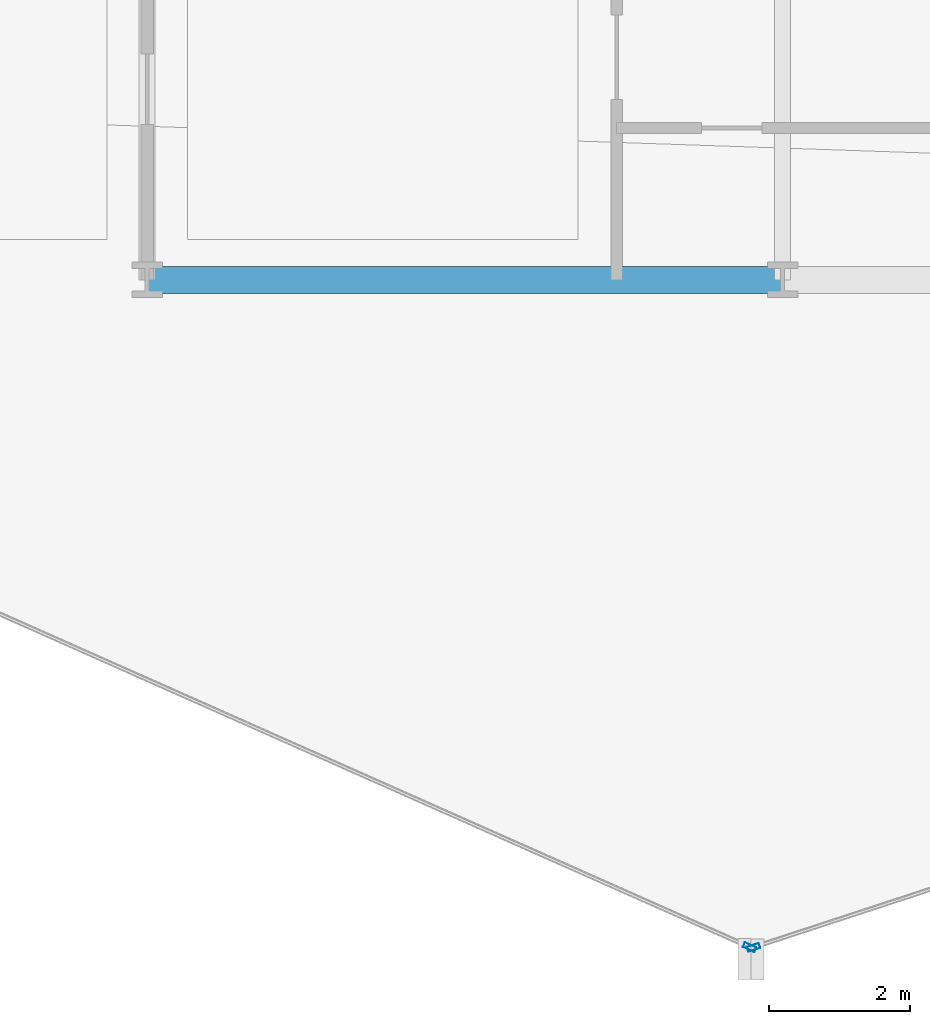
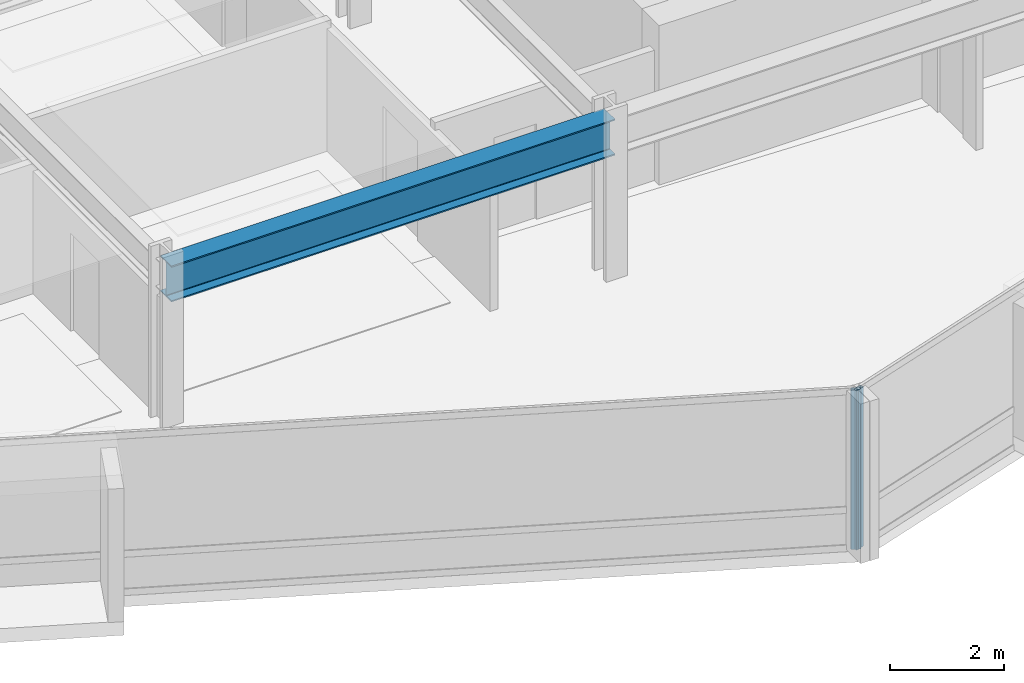
# One storey, part 4 of 34: 2 members, 1 beam, 2 elements without a shape of their own.
"""IFC4 building model written with IfcOpenShell, lengths in metres."""

import ifcopenshell
import ifcopenshell.guid

model = None  # the IFC model being written
_history = None  # IfcOwnerHistory: only IFC2X3 demands one
_inside = {}  # id of a spatial element -> (the spatial element, [elements in it])
_under = {}  # id of a project, library or spatial element -> (it, [spatial elements below it])
_declared = {}  # id of a project -> (the project, [libraries it declares])
_typed = {}  # id of a type object -> (the type object, [elements of that type])
_made_of = {}  # id of a material, layer set ... -> (it, [elements and type objects made of it])


def new_model(schema):
    """Start an empty IFC model of exactly this schema.

    Asked for "IFC4X3", IfcOpenShell would pick the latest addendum, in which some entities
    have other attributes; the version numbers below select the first issue.
    IFC2X3 requires an IfcOwnerHistory on every rooted entity: one is made here for all.
    """
    global model, _history
    if schema == "IFC4X3":
        model = ifcopenshell.file(schema_version=(4, 3, 0, 0))
    else:
        model = ifcopenshell.file(schema=schema)
    _inside.clear()
    _under.clear()
    _declared.clear()
    _typed.clear()
    _made_of.clear()
    _history = None
    if model.schema == "IFC2X3":
        org = make("IfcOrganization", Name="unknown")
        user = make(
            "IfcPersonAndOrganization",
            ThePerson=make("IfcPerson", FamilyName="unknown"),
            TheOrganization=org,
        )
        app = make(
            "IfcApplication",
            ApplicationDeveloper=org,
            Version="unknown",
            ApplicationFullName="unknown",
            ApplicationIdentifier="unknown",
        )
        _history = make(
            "IfcOwnerHistory",
            OwningUser=user,
            OwningApplication=app,
            ChangeAction="ADDED",
            CreationDate=0,
        )
    return model


def make(cls, **values):
    """One entity of the class cls with the attributes given. An attribute that is None is left unset."""
    return model.create_entity(
        cls, **{name: value for name, value in values.items() if value is not None}
    )


def rooted(cls, **values):
    """An entity with a GlobalId (a new one), such as an element, a storey or a relation."""
    return make(cls, GlobalId=ifcopenshell.guid.new(), OwnerHistory=_history, **values)


def si_unit(unit_type, name, prefix=None):
    """IfcSIUnit, for example si_unit("LENGTHUNIT", "METRE", prefix="MILLI")."""
    return make("IfcSIUnit", UnitType=unit_type, Prefix=prefix, Name=name)


def assignment(units):
    """IfcUnitAssignment: the units of a project."""
    return None if units is None else make("IfcUnitAssignment", Units=units)


def point(xyz):
    """IfcCartesianPoint."""
    return None if xyz is None else make("IfcCartesianPoint", Coordinates=xyz)


def direction(xyz):
    """IfcDirection."""
    return None if xyz is None else make("IfcDirection", DirectionRatios=xyz)


def frame(location, z_axis=None, x_axis=None):
    """IfcAxis2Placement3D, a coordinate frame: its origin and axes. An axis left out is left unset."""
    return make(
        "IfcAxis2Placement3D",
        Location=point(location),
        Axis=direction(z_axis),
        RefDirection=direction(x_axis),
    )


def frame_2d(location, x_axis=None):
    """IfcAxis2Placement2D, a coordinate frame in the plane: its origin and x axis."""
    return make(
        "IfcAxis2Placement2D", Location=point(location), RefDirection=direction(x_axis)
    )


def origin():
    """The frame at (0, 0, 0) with its axes left unset."""
    return frame((0.0, 0.0, 0.0))


def origin_2d():
    """The frame at (0, 0) in the plane with its x axis left unset."""
    return frame_2d((0.0, 0.0))


def place(relative_to, where):
    """IfcLocalPlacement: puts the frame where relative to a parent placement (None: the world)."""
    return make(
        "IfcLocalPlacement", PlacementRelTo=relative_to, RelativePlacement=where
    )


def context(
    kind, dimensions, precision=None, world=None, true_north=None, identifier=None
):
    """IfcGeometricRepresentationContext, for example the 3D "Model" context."""
    return make(
        "IfcGeometricRepresentationContext",
        ContextIdentifier=identifier,
        ContextType=kind,
        CoordinateSpaceDimension=dimensions,
        Precision=precision,
        WorldCoordinateSystem=world,
        TrueNorth=true_north,
    )


def subcontext(parent, identifier, kind, view, scale=None):
    """IfcGeometricRepresentationSubContext, for example "Body" below "Model"."""
    return make(
        "IfcGeometricRepresentationSubContext",
        ContextIdentifier=identifier,
        ContextType=kind,
        ParentContext=parent,
        TargetScale=scale,
        TargetView=view,
    )


def project(units=None, contexts=None):
    """IfcProject with its units and contexts."""
    return rooted(
        "IfcProject",
        Name="project",
        RepresentationContexts=contexts,
        UnitsInContext=assignment(units),
    )


def spatial(cls, under=None, at=None, **own):
    """A site, building, storey or space (cls), placed at a placement, below another one or the project."""
    s = rooted(cls, ObjectPlacement=at, **own)
    if under is not None:
        _under.setdefault(under.id(), (under, []))[1].append(s)
    return s


def profile(cls, at=None, kind="AREA", **sizes):
    """A parametric profile (cls). Its sizes go by their IFC names, for example OverallWidth=200.0."""
    return make(cls, ProfileType=kind, Position=at, **sizes)


def hollow_rectangle(**sizes):
    """IfcRectangleHollowProfileDef."""
    return profile("IfcRectangleHollowProfileDef", **sizes)


def i_section(**sizes):
    """IfcIShapeProfileDef."""
    return profile("IfcIShapeProfileDef", **sizes)


def extrude(swept, where, along, depth):
    """IfcExtrudedAreaSolid: the profile swept, set in the frame where, extruded along a direction by depth."""
    return make(
        "IfcExtrudedAreaSolid",
        SweptArea=swept,
        Position=where,
        ExtrudedDirection=direction(along),
        Depth=depth,
    )


def shape(context_of_items, identifier, shape_type, items):
    """IfcShapeRepresentation: the items that make up one representation, for example the "Body"."""
    return make(
        "IfcShapeRepresentation",
        ContextOfItems=context_of_items,
        RepresentationIdentifier=identifier,
        RepresentationType=shape_type,
        Items=items,
    )


def material(Name=None, Category=None):
    """IfcMaterial."""
    return make("IfcMaterial", Name=Name, Category=Category)


def layer(
    of_material, thickness, ventilated=None, Name=None, Category=None, Priority=None
):
    """IfcMaterialLayer: one layer of a wall or slab, of a material (None: an air gap)."""
    return make(
        "IfcMaterialLayer",
        Material=of_material,
        LayerThickness=thickness,
        IsVentilated=ventilated,
        Name=Name,
        Category=Category,
        Priority=Priority,
    )


def layer_set(layers, Name=None):
    """IfcMaterialLayerSet."""
    return make("IfcMaterialLayerSet", MaterialLayers=layers, LayerSetName=Name)


def material_profile(
    of_material, cross_section, Name=None, Category=None, Priority=None
):
    """IfcMaterialProfile: a cross section and its material."""
    return make(
        "IfcMaterialProfile",
        Name=Name,
        Material=of_material,
        Profile=cross_section,
        Priority=Priority,
        Category=Category,
    )


def profile_set(profiles, Name=None, composite=None):
    """IfcMaterialProfileSet."""
    return make(
        "IfcMaterialProfileSet",
        Name=Name,
        MaterialProfiles=profiles,
        CompositeProfile=composite,
    )


def made_of(thing, what):
    """Note that an element or type object is made of a material, layer set ...; save() writes the relation."""
    if what is not None:
        _made_of.setdefault(what.id(), (what, []))[1].append(thing)
    return thing


def type_object(cls, material=None, **own):
    """A type object (cls), such as IfcWallType, which elements share."""
    return made_of(rooted(cls, **own), material)


def element(
    cls,
    number,
    at=None,
    inside=None,
    cuts=None,
    type_object=None,
    material=None,
    context=None,
    identifier="Body",
    shape_type=None,
    held_by="IfcProductDefinitionShape",
    body=None,
    shapes=None,
    **own,
):
    """One element of the class cls, such as IfcWall. Its Tag is "e" and its number.

    at: its placement. inside: the storey or other place that contains it. cuts: it is an
    opening in that element (IfcRelVoidsElement). A single representation is given by context,
    identifier, shape_type and body (its items); several are given by shapes. held_by: the class
    of the entity that holds the representations. save() writes the other relations.
    """
    e = rooted(cls, Tag="e%d" % number, ObjectPlacement=at, **own)
    if body is not None:
        shapes = [shape(context, identifier, shape_type, body)]
    if shapes is not None:
        e.Representation = make(held_by, Representations=shapes)
    if inside is not None:
        _inside.setdefault(inside.id(), (inside, []))[1].append(e)
    if cuts is not None:
        rooted(
            "IfcRelVoidsElement", RelatingBuildingElement=cuts, RelatedOpeningElement=e
        )
    if type_object is not None:
        _typed.setdefault(type_object.id(), (type_object, []))[1].append(e)
    return made_of(e, material)


def aggregate(whole, parts):
    """IfcRelAggregates: a whole, such as a stair, and the parts it consists of."""
    return rooted("IfcRelAggregates", RelatingObject=whole, RelatedObjects=parts)


def save(model, path):
    """Write the relations noted so far, then the file.

    IfcRelAggregates (storeys below a building ...), IfcRelContainedInSpatialStructure (elements
    in a storey), IfcRelDefinesByType, IfcRelAssociatesMaterial and IfcRelDeclares: one each for
    every whole, place, type object, material and project.
    """
    for whole, parts in _under.values():
        aggregate(whole, parts)
    for where, things in _inside.values():
        rooted(
            "IfcRelContainedInSpatialStructure",
            RelatedElements=things,
            RelatingStructure=where,
        )
    for kind, things in _typed.values():
        rooted("IfcRelDefinesByType", RelatedObjects=things, RelatingType=kind)
    for what, things in _made_of.values():
        rooted("IfcRelAssociatesMaterial", RelatedObjects=things, RelatingMaterial=what)
    for by, libraries in _declared.values():
        rooted("IfcRelDeclares", RelatingContext=by, RelatedDefinitions=libraries)
    model.write(path)


model = new_model("IFC4")

# Units and contexts
model_context = context("Model", 3, precision=1e-05, world=origin(), true_north=direction((0.0, 1.0)))
body_context = subcontext(model_context, "Body", "Model", "MODEL_VIEW")
ifc_project = project(units=[si_unit("LENGTHUNIT", "METRE"), si_unit("AREAUNIT", "SQUARE_METRE"), si_unit("VOLUMEUNIT", "CUBIC_METRE"), si_unit("PLANEANGLEUNIT", "RADIAN"), si_unit("MASSUNIT", "GRAM", prefix="KILO")], contexts=[model_context])

# Site, building, storey
site_placement = place(None, origin())
site = spatial("IfcSite", under=ifc_project, at=site_placement, CompositionType="ELEMENT")
building_placement = place(site_placement, origin())
building = spatial("IfcBuilding", under=site, at=building_placement, Name="Solvaryn Broadcast Tower", CompositionType="ELEMENT")
storey_placement = place(building_placement, frame((0.0, 0.0, 39.699951171875)))
storey = spatial("IfcBuildingStorey", under=building, at=storey_placement, Name="L08", CompositionType="ELEMENT", Elevation=39.699951171875)

# Beam
ifc_material_1 = material(Name="Steel ASTM A992 Grade 50", Category="steel")
ifc_material_profile_1 = material_profile(ifc_material_1, i_section(OverallWidth=0.381103515625, OverallDepth=0.77294921875, WebThickness=0.0166015625, FlangeThickness=0.027099609375, FilletRadius=0.01806640625, at=origin_2d()))
ifc_profile_set_1 = profile_set([ifc_material_profile_1], Name="Steel ASTM A992 Grade 50")
beam_type = type_object("IfcBeamType", Name="BM-SP1-W30X173", PredefinedType="USERDEFINED", material=ifc_profile_set_1)
beam_placement = place(storey_placement, frame((18.0, 9.0, 3.033447265625), z_axis=(1.0, 0.0, 0.0), x_axis=(0.0, 1.0, 0.0)))
element("IfcBeam", 1, at=beam_placement, inside=storey, type_object=beam_type, Name="L08 Spandrel Beam X (18-27 @ Y=9)", ObjectType="SPANDREL", PredefinedType="USERDEFINED", context=body_context, shape_type="SweptSolid", body=[
    extrude(i_section(OverallWidth=0.381103515625, OverallDepth=0.77294921875, WebThickness=0.0166015625, FlangeThickness=0.027099609375, FilletRadius=0.01806640625, at=origin_2d()), origin(), (0.0, 0.0, 1.0), 9.0),
])

# Curtain wall, member
ifc_material_2 = material(Name="Aluminium and Terracotta Unitised Curtain Wall", Category="masonry")
ifc_layer = layer(ifc_material_2, 0.199951171875)
ifc_layer_set = layer_set([ifc_layer], Name="CW-SYS2-LOWMID")
curtain_wall_type = type_object("IfcCurtainWallType", Name="CW-SYS2-LOWMID", PredefinedType="NOTDEFINED", material=ifc_layer_set)
curtain_wall_1_placement = place(storey_placement, origin())
curtain_wall_1 = element("IfcCurtainWall", 2, at=curtain_wall_1_placement, inside=storey, type_object=curtain_wall_type, Name="L08 Curtain Wall DR3", PredefinedType="NOTDEFINED")
ifc_material_3 = material(Name="Anodised Aluminium 6063-T6", Category="aluminium")
ifc_material_profile_2 = material_profile(ifc_material_3, hollow_rectangle(XDim=0.074951171875, YDim=0.179931640625, WallThickness=0.00390625, InnerFilletRadius=0.00390625, OuterFilletRadius=0.008056640625, at=origin_2d()))
ifc_profile_set_2 = profile_set([ifc_material_profile_2], Name="Anodised Aluminium 6063-T6")
member_type = type_object("IfcMemberType", Name="CW-MUL-180", PredefinedType="MULLION", material=ifc_profile_set_2)
member_1_placement = place(storey_placement, frame((26.532470703125, -0.451904296875, 0.0), z_axis=(0.0, 0.0, 1.0), x_axis=(0.405898286554, 0.913918257271, 0.0)))
member_1 = element("IfcMember", 3, at=member_1_placement, type_object=member_type, Name="CWS2 mullion 2", PredefinedType="MULLION", context=body_context, shape_type="SweptSolid", body=[
    extrude(hollow_rectangle(XDim=0.074951171875, YDim=0.179931640625, WallThickness=0.00390625, InnerFilletRadius=0.00390625, OuterFilletRadius=0.008056640625, at=origin_2d()), origin(), (0.0, 0.0, 1.0), 3.420166015625),
])
aggregate(curtain_wall_1, [member_1])

curtain_wall_2_placement = place(storey_placement, origin())
curtain_wall_2 = element("IfcCurtainWall", 4, at=curtain_wall_2_placement, inside=storey, type_object=curtain_wall_type, Name="L08 Curtain Wall DR4", PredefinedType="NOTDEFINED")
member_2_placement = place(storey_placement, frame((26.588623046875, -0.45458984375, 0.0), z_axis=(0.0, 0.0, 1.0), x_axis=(-0.311594044587, 0.950215318429, 0.0)))
member_2 = element("IfcMember", 5, at=member_2_placement, type_object=member_type, Name="CWS2 mullion 1", PredefinedType="MULLION", context=body_context, shape_type="SweptSolid", body=[
    extrude(hollow_rectangle(XDim=0.074951171875, YDim=0.179931640625, WallThickness=0.00390625, InnerFilletRadius=0.00390625, OuterFilletRadius=0.008056640625, at=origin_2d()), origin(), (0.0, 0.0, 1.0), 3.420166015625),
])
aggregate(curtain_wall_2, [member_2])

save(model, "model.ifc")
